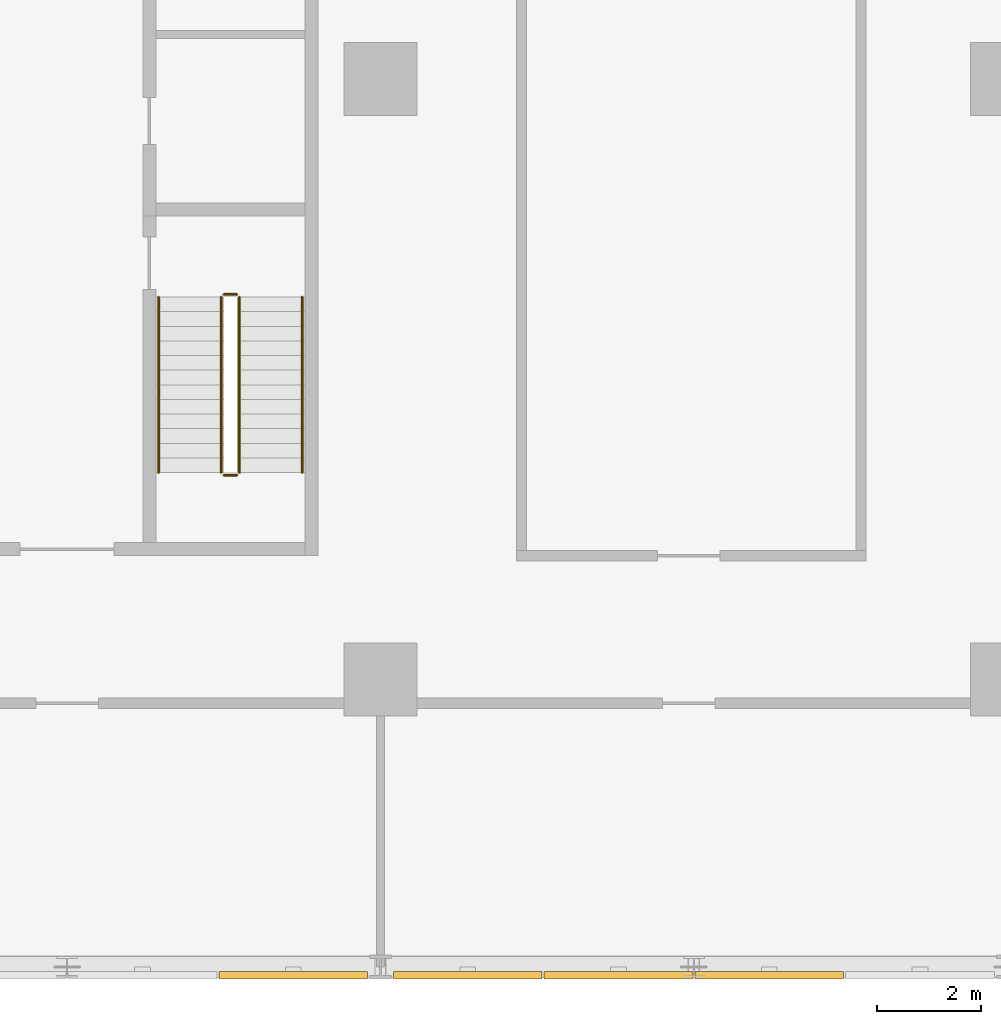
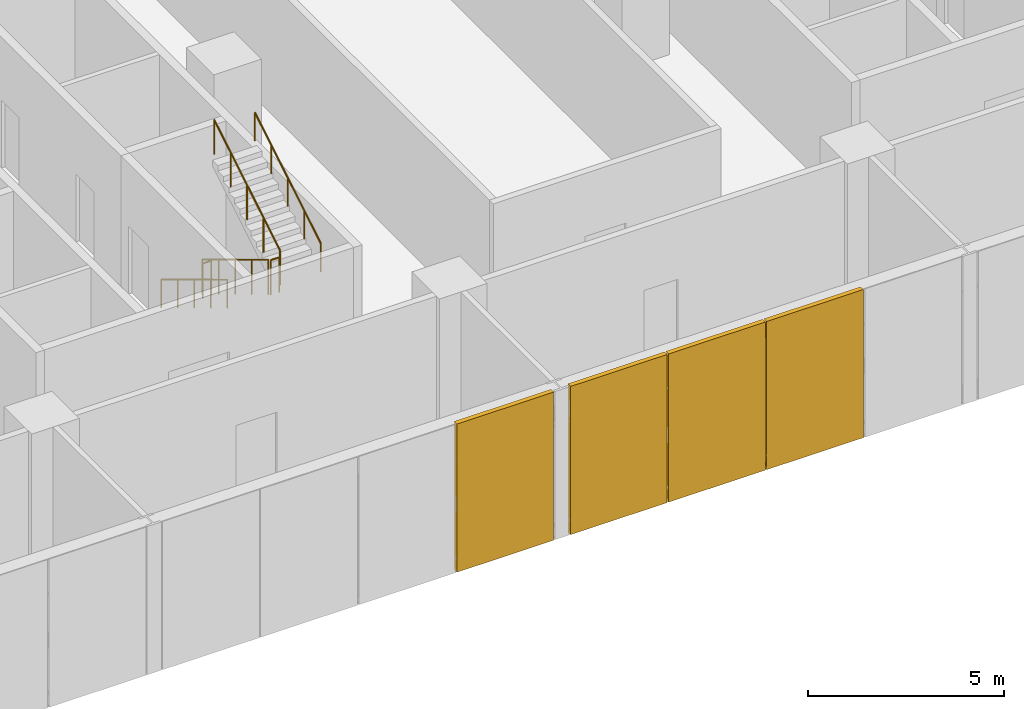
# One storey, part 23 of 26: 6 railings, 4 coverings.
"""IFC4 building model written with IfcOpenShell, lengths in metres."""

from ifc_helpers import new_model, si_unit, direction, frame, origin, origin_2d, place, context, subcontext, project, spatial, rectangle, circle, extrude, material, type_object, element, save


model = new_model("IFC4")

# Units and contexts
model_context = context("Model", 3, precision=1e-05, world=origin(), true_north=direction((0.0, 1.0)))
body_context = subcontext(model_context, "Body", "Model", "MODEL_VIEW")
ifc_project = project(units=[si_unit("LENGTHUNIT", "METRE"), si_unit("AREAUNIT", "SQUARE_METRE"), si_unit("VOLUMEUNIT", "CUBIC_METRE"), si_unit("PLANEANGLEUNIT", "RADIAN"), si_unit("MASSUNIT", "GRAM", prefix="KILO")], contexts=[model_context])

# Site, building, storey
site_placement = place(None, origin())
site = spatial("IfcSite", under=ifc_project, at=site_placement, CompositionType="ELEMENT")
building_placement = place(site_placement, origin())
building = spatial("IfcBuilding", under=site, at=building_placement, Name="Mahtab Terrace Research Tower", CompositionType="ELEMENT")
storey_placement = place(building_placement, frame((0.0, 0.0, 117.60009765625)))
storey = spatial("IfcBuildingStorey", under=building, at=storey_placement, Name="L27", CompositionType="ELEMENT", Elevation=117.60009765625)

# Coverings
ifc_material_1 = material(Name="Natural anodised aluminium", Category="aluminium")
covering_type = type_object("IfcCoveringType", Name="Plant storey louvre bay", PredefinedType="CLADDING", material=ifc_material_1)
for number, where, z_axis, x_axis, name in (
    (1, (4.3291015625, -17.159912109375, -0.55029296875), (0.0, 0.0, 1.0), (1.0, 0.0, 0.0), "Louvre bay L27 87"),
    (2, (7.6708984375, -17.159912109375, -0.55029296875), (0.0, 0.0, 1.0), (1.0, 0.0, 0.0), "Louvre bay L27 88"),
    (3, (10.556884765625, -17.159912109375, -0.55029296875), (0.0, 0.0, 1.0), (1.0, 0.0, 0.0), "Louvre bay L27 89"),
    (4, (13.443115234375, -17.159912109375, -0.55029296875), (0.0, 0.0, 1.0), (1.0, 0.0, 0.0), "Louvre bay L27 90"),
):
    element("IfcCovering", number, at=place(storey_placement, frame(where, z_axis=z_axis, x_axis=x_axis)), inside=storey, type_object=covering_type, Name=name, PredefinedType="CLADDING", context=body_context, shape_type="SweptSolid", body=[
        extrude(rectangle(XDim=2.845947265625, YDim=0.139892578125, at=origin_2d()), origin(), (0.0, 0.0, 1.0), 4.610107421875),
    ])

# Railings
ifc_material_2 = material(Name="Stainless steel AISI 304", Category="steel")
railing_type_1 = type_object("IfcRailingType", Name="Stair guard 1100", PredefinedType="GUARDRAIL", material=ifc_material_2)
railing_1_placement = place(storey_placement, frame((2.949951171875, -4.175048828125, 0.169189453125)))
element("IfcRailing", 5, at=railing_1_placement, inside=storey, type_object=railing_type_1, Name="L27 ST2 stair guard 1", PredefinedType="GUARDRAIL", context=body_context, shape_type="SweptSolid", body=[
    extrude(circle(Radius=0.02392578125, at=origin_2d()), frame((0.0, 0.0, 1.076171875), z_axis=(0.0, -0.855820338506, 0.51727318527), x_axis=(1.0, 0.0, 0.0)), (0.0, 0.0, 1.0), 3.92578125),
    extrude(circle(Radius=0.02099609375, at=origin_2d()), origin(), (0.0, 0.0, 1.0), 1.052001953125),
    extrude(circle(Radius=0.02099609375, at=origin_2d()), frame((0.0, -0.83984375, 0.5078125)), (0.0, 0.0, 1.0), 1.052001953125),
    extrude(circle(Radius=0.02099609375, at=origin_2d()), frame((0.0, -1.679931640625, 1.015380859375)), (0.0, 0.0, 1.0), 1.052001953125),
    extrude(circle(Radius=0.02099609375, at=origin_2d()), frame((0.0, -2.52001953125, 1.52294921875)), (0.0, 0.0, 1.0), 1.052001953125),
    extrude(circle(Radius=0.02099609375, at=origin_2d()), frame((0.0, -3.35986328125, 2.03076171875)), (0.0, 0.0, 1.0), 1.052001953125),
])
railing_2_placement = place(storey_placement, frame((3.0, -7.5849609375, 2.199951171875)))
element("IfcRailing", 6, at=railing_2_placement, inside=storey, type_object=railing_type_1, Name="L27 ST2 stair guard 2", PredefinedType="GUARDRAIL", context=body_context, shape_type="SweptSolid", body=[
    extrude(circle(Radius=0.02392578125, at=origin_2d()), frame((0.0, 0.0, 1.076171875), z_axis=(1.0, 0.0, 0.0), x_axis=(0.0, 1.0, 0.0)), (0.0, 0.0, 1.0), 0.25),
    extrude(circle(Radius=0.02099609375, at=origin_2d()), origin(), (0.0, 0.0, 1.0), 1.052001953125),
    extrude(circle(Radius=0.02099609375, at=origin_2d()), frame((0.25, 0.0, 0.0)), (0.0, 0.0, 1.0), 1.052001953125),
])
railing_3_placement = place(storey_placement, frame((3.300048828125, -7.534912109375, 2.369140625)))
element("IfcRailing", 7, at=railing_3_placement, inside=storey, type_object=railing_type_1, Name="L27 ST2 stair guard 3", PredefinedType="GUARDRAIL", context=body_context, shape_type="SweptSolid", body=[
    extrude(circle(Radius=0.02392578125, at=origin_2d()), frame((0.0, 0.0, 1.076171875), z_axis=(0.0, 0.855820338506, 0.51727318527), x_axis=(-1.0, 0.0, 0.0)), (0.0, 0.0, 1.0), 3.92578125),
    extrude(circle(Radius=0.02099609375, at=origin_2d()), origin(), (0.0, 0.0, 1.0), 1.052001953125),
    extrude(circle(Radius=0.02099609375, at=origin_2d()), frame((0.0, 0.83984375, 0.5078125)), (0.0, 0.0, 1.0), 1.052001953125),
    extrude(circle(Radius=0.02099609375, at=origin_2d()), frame((0.0, 1.679931640625, 1.015380859375)), (0.0, 0.0, 1.0), 1.052001953125),
    extrude(circle(Radius=0.02099609375, at=origin_2d()), frame((0.0, 2.52001953125, 1.52294921875)), (0.0, 0.0, 1.0), 1.052001953125),
    extrude(circle(Radius=0.02099609375, at=origin_2d()), frame((0.0, 3.35986328125, 2.03076171875)), (0.0, 0.0, 1.0), 1.052001953125),
])
railing_4_placement = place(storey_placement, frame((3.0, -4.125, 0.0)))
element("IfcRailing", 8, at=railing_4_placement, inside=storey, type_object=railing_type_1, Name="L27 ST2 stair guard 4", PredefinedType="GUARDRAIL", context=body_context, shape_type="SweptSolid", body=[
    extrude(circle(Radius=0.02392578125, at=origin_2d()), frame((0.0, 0.0, 1.076171875), z_axis=(1.0, 0.0, 0.0), x_axis=(0.0, 1.0, 0.0)), (0.0, 0.0, 1.0), 0.25),
    extrude(circle(Radius=0.02099609375, at=origin_2d()), origin(), (0.0, 0.0, 1.0), 1.052001953125),
    extrude(circle(Radius=0.02099609375, at=origin_2d()), frame((0.25, 0.0, 0.0)), (0.0, 0.0, 1.0), 1.052001953125),
])
railing_type_2 = type_object("IfcRailingType", Name="Stair handrail 900", PredefinedType="HANDRAIL", material=ifc_material_2)
railing_5_placement = place(storey_placement, frame((1.75, -4.175048828125, 0.169189453125)))
element("IfcRailing", 9, at=railing_5_placement, inside=storey, type_object=railing_type_2, Name="L27 ST2 stair handrail 1", PredefinedType="HANDRAIL", context=body_context, shape_type="SweptSolid", body=[
    extrude(circle(Radius=0.02392578125, at=origin_2d()), frame((0.0, 0.0, 0.8759765625), z_axis=(0.0, -0.855820338506, 0.51727318527), x_axis=(1.0, 0.0, 0.0)), (0.0, 0.0, 1.0), 3.92578125),
    extrude(circle(Radius=0.02099609375, at=origin_2d()), origin(), (0.0, 0.0, 1.0), 0.851806640625),
    extrude(circle(Radius=0.02099609375, at=origin_2d()), frame((0.0, -0.83984375, 0.5078125)), (0.0, 0.0, 1.0), 0.851806640625),
    extrude(circle(Radius=0.02099609375, at=origin_2d()), frame((0.0, -1.679931640625, 1.015380859375)), (0.0, 0.0, 1.0), 0.851806640625),
    extrude(circle(Radius=0.02099609375, at=origin_2d()), frame((0.0, -2.52001953125, 1.52294921875)), (0.0, 0.0, 1.0), 0.851806640625),
    extrude(circle(Radius=0.02099609375, at=origin_2d()), frame((0.0, -3.35986328125, 2.03076171875)), (0.0, 0.0, 1.0), 0.851806640625),
])
railing_6_placement = place(storey_placement, frame((4.5, -7.534912109375, 2.369140625)))
element("IfcRailing", 10, at=railing_6_placement, inside=storey, type_object=railing_type_2, Name="L27 ST2 stair handrail 2", PredefinedType="HANDRAIL", context=body_context, shape_type="SweptSolid", body=[
    extrude(circle(Radius=0.02392578125, at=origin_2d()), frame((0.0, 0.0, 0.8759765625), z_axis=(0.0, 0.855820338506, 0.51727318527), x_axis=(-1.0, 0.0, 0.0)), (0.0, 0.0, 1.0), 3.92578125),
    extrude(circle(Radius=0.02099609375, at=origin_2d()), origin(), (0.0, 0.0, 1.0), 0.851806640625),
    extrude(circle(Radius=0.02099609375, at=origin_2d()), frame((0.0, 0.83984375, 0.5078125)), (0.0, 0.0, 1.0), 0.851806640625),
    extrude(circle(Radius=0.02099609375, at=origin_2d()), frame((0.0, 1.679931640625, 1.015380859375)), (0.0, 0.0, 1.0), 0.851806640625),
    extrude(circle(Radius=0.02099609375, at=origin_2d()), frame((0.0, 2.52001953125, 1.52294921875)), (0.0, 0.0, 1.0), 0.851806640625),
    extrude(circle(Radius=0.02099609375, at=origin_2d()), frame((0.0, 3.35986328125, 2.03076171875)), (0.0, 0.0, 1.0), 0.851806640625),
])

save(model, "model.ifc")
